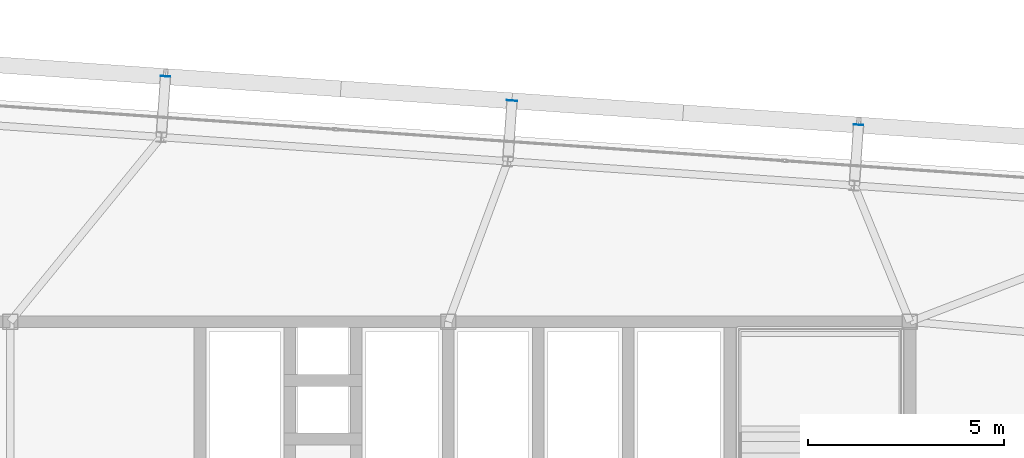
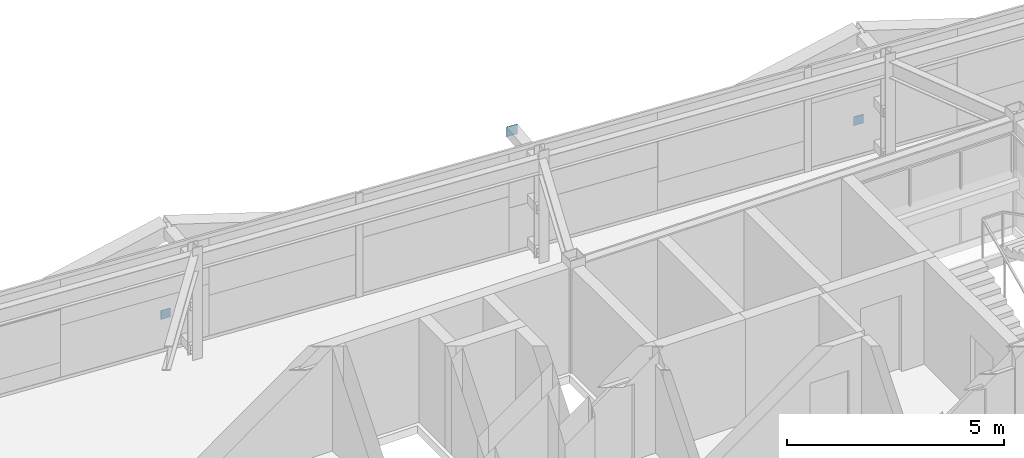
# One storey, part 33 of 39: 3 plates.
"""IFC4 building model written with IfcOpenShell, lengths in metres."""

from ifc_helpers import new_model, si_unit, direction, frame, origin, origin_2d, place, context, subcontext, project, spatial, rectangle, extrude, source, transform, mapped, material, layer, layer_set, type_object, element, save


model = new_model("IFC4")

# Units and contexts
model_context = context("Model", 3, precision=1e-05, world=origin(), true_north=direction((0.0, 1.0)))
body_context = subcontext(model_context, "Body", "Model", "MODEL_VIEW")
ifc_project = project(units=[si_unit("LENGTHUNIT", "METRE"), si_unit("AREAUNIT", "SQUARE_METRE"), si_unit("VOLUMEUNIT", "CUBIC_METRE"), si_unit("PLANEANGLEUNIT", "RADIAN"), si_unit("MASSUNIT", "GRAM", prefix="KILO")], contexts=[model_context])

# Site, building, storey
site_placement = place(None, origin())
site = spatial("IfcSite", under=ifc_project, at=site_placement, CompositionType="ELEMENT")
building_placement = place(site_placement, origin())
building = spatial("IfcBuilding", under=site, at=building_placement, Name="Taldren Reach Tower", CompositionType="ELEMENT")
storey_placement = place(building_placement, frame((0.0, 0.0, 148.75)))
storey = spatial("IfcBuildingStorey", under=building, at=storey_placement, Name="L45", CompositionType="ELEMENT", Elevation=148.75)

# Plates
ifc_material_1 = material(Name="Steel Gr 450 (C450L0)", Category="steel")
ifc_layer_1 = layer(ifc_material_1, 0.011962890625)
ifc_layer_set_1 = layer_set([ifc_layer_1], Name="Steel Gr 450 (C450L0)")
plate_type_1 = type_object("IfcPlateType", Name="PL-CAP-275", PredefinedType="SHEET", material=ifc_layer_set_1)
shared_shape_1 = source(origin(), body_context, "Body", "SweptSolid", [
    extrude(rectangle(XDim=0.27490234375, YDim=0.011962890625, at=origin_2d()), origin(), (0.0, 0.0, 1.0), 0.27490234375),
])
plate_placement = place(storey_placement, frame((40.828125, 37.652587890625, 2.512451171875), z_axis=(0.0, 0.0, 1.0), x_axis=(0.99756405026, -0.069756473744, 0.0)))
element("IfcPlate", 1, at=plate_placement, inside=storey, type_object=plate_type_1, Name="Tie strut end cap plate B3-N4 L45", PredefinedType="SHEET", context=body_context, shape_type="MappedRepresentation", body=[
    mapped(shared_shape_1, transform((0.0, 0.0, 0.0), scale=1.0)),
])
ifc_material_2 = material(Name="Steel Gr 350 (C350L0)", Category="steel")
ifc_layer_2 = layer(ifc_material_2, 0.011962890625)
ifc_layer_set_2 = layer_set([ifc_layer_2], Name="Steel Gr 350 (C350L0)")
plate_type_2 = type_object("IfcPlateType", Name="PL-CAP-250", PredefinedType="SHEET", material=ifc_layer_set_2)
shared_shape_2 = source(origin(), body_context, "Body", "SweptSolid", [
    extrude(rectangle(XDim=0.25, YDim=0.011962890625, at=origin_2d()), origin(), (0.0, 0.0, 1.0), 0.25),
])
for number, where, z_axis, x_axis, name in (
    (2, (31.969970703125, 38.272216796875, 0.094970703125), (0.0, 0.0, 1.0), (0.99756405026, -0.069756473744, 0.0), "Tie strut end cap plate B3-N3 L45"),
    (3, (49.6865234375, 37.033203125, 0.094970703125), (0.0, 0.0, 1.0), (0.99756405026, -0.069756473744, 0.0), "Tie strut end cap plate B3-N5 L45"),
):
    element("IfcPlate", number, at=place(storey_placement, frame(where, z_axis=z_axis, x_axis=x_axis)), inside=storey, type_object=plate_type_2, Name=name, PredefinedType="SHEET", context=body_context, shape_type="MappedRepresentation", body=[
        mapped(shared_shape_2, transform((0.0, 0.0, 0.0), scale=1.0)),
    ])

save(model, "model.ifc")
